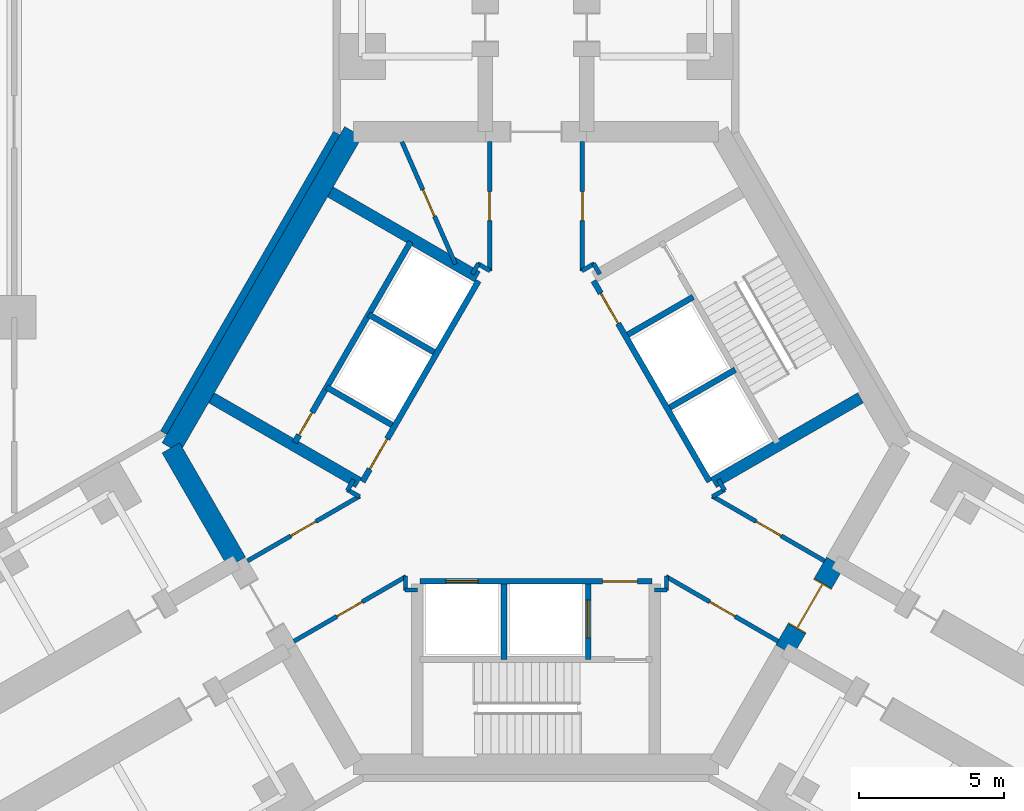
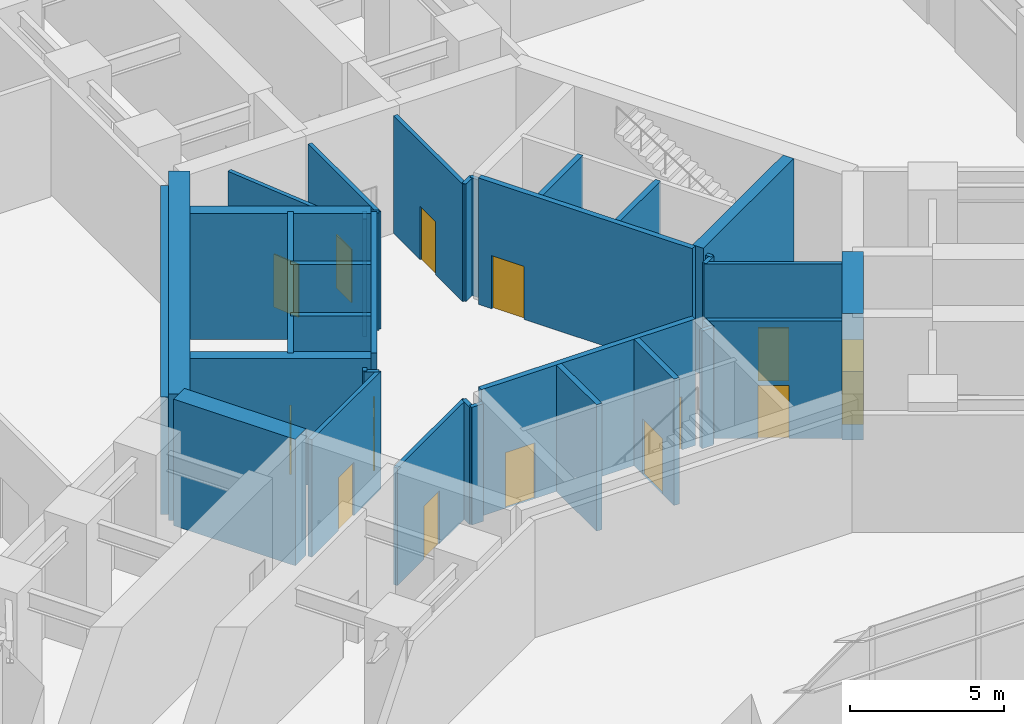
# One storey, part 25 of 32: 36 walls, 14 doors, 14 openings.
"""IFC4 building model written with IfcOpenShell, lengths in metres."""

from ifc_helpers import new_model, si_unit, direction, frame, frame_2d, origin, place, context, subcontext, project, spatial, rectangle, extrude, material, layer, layer_set, type_object, element, fill, save


model = new_model("IFC4")

# Units and contexts
model_context = context("Model", 3, precision=1e-05, world=origin(), true_north=direction((0.0, 1.0)))
body_context = subcontext(model_context, "Body", "Model", "MODEL_VIEW")
ifc_project = project(units=[si_unit("LENGTHUNIT", "METRE"), si_unit("AREAUNIT", "SQUARE_METRE"), si_unit("VOLUMEUNIT", "CUBIC_METRE"), si_unit("PLANEANGLEUNIT", "RADIAN"), si_unit("MASSUNIT", "GRAM", prefix="KILO")], contexts=[model_context])

# Site, building, storey
site_placement = place(None, origin())
site = spatial("IfcSite", under=ifc_project, at=site_placement, CompositionType="ELEMENT")
building_placement = place(site_placement, origin())
building = spatial("IfcBuilding", under=site, at=building_placement, Name="Upepo Twin Towers", CompositionType="ELEMENT")
storey_placement = place(building_placement, frame((0.0, 0.0, 10.5)))
storey = spatial("IfcBuildingStorey", under=building, at=storey_placement, Name="L02", CompositionType="ELEMENT", Elevation=10.5)

# Walls
ifc_material_1 = material(Name="Concrete C60/75", Category="concrete")
ifc_layer_1 = layer(ifc_material_1, 0.699951171875)
ifc_layer_set_1 = layer_set([ifc_layer_1], Name="Concrete C60/75")
wall_type_1 = type_object("IfcWallType", Name="Core wall 700 RC", PredefinedType="SHEAR", material=ifc_layer_set_1)
wall_1_placement = place(storey_placement, frame((52.2021484375, -7.091552734375, 0.0), z_axis=(0.0, 0.0, 1.0), x_axis=(-0.500005998175, -0.866021940709, 0.0)))
element("IfcWall", 1, at=wall_1_placement, inside=storey, type_object=wall_type_1, Name="T2 core wall 060", PredefinedType="SHEAR", context=body_context, shape_type="SweptSolid", body=[
    extrude(rectangle(XDim=12.595947265625, YDim=0.699951171875, at=frame_2d((6.2978515625, 0.0))), origin(), (0.0, 0.0, 1.0), 5.0),
])
wall_2_placement = place(storey_placement, frame((45.904052734375, -18.0, 0.0), z_axis=(0.0, 0.0, 1.0), x_axis=(0.500024481964, -0.866011268655, 0.0)))
element("IfcWall", 2, at=wall_2_placement, inside=storey, type_object=wall_type_1, Name="T2 core wall 120 R", PredefinedType="SHEAR", context=body_context, shape_type="SweptSolid", body=[
    extrude(rectangle(XDim=4.548095703125, YDim=0.699951171875, at=frame_2d((2.27392578125, 0.0))), origin(), (0.0, 0.0, 1.0), 5.0),
])

# Wall, opening, door
wall_3_placement = place(storey_placement, frame((67.07177734375, -24.9697265625, 0.0), z_axis=(0.0, 0.0, 1.0), x_axis=(0.500010275428, 0.866019471182, 0.0)))
wall_3 = element("IfcWall", 3, at=wall_3_placement, inside=storey, type_object=wall_type_1, Name="T2 core wall 240", PredefinedType="SHEAR", context=body_context, shape_type="SweptSolid", body=[
    extrude(rectangle(XDim=3.5, YDim=0.699951171875, at=frame_2d((1.75, 0.0))), origin(), (0.0, 0.0, 1.0), 5.0),
])
opening_1_placement = place(wall_3_placement, frame((0.85009765625, 0.0, 0.0)))
opening_1 = element("IfcOpeningElement", 4, at=opening_1_placement, cuts=wall_3, Name="Opening D2", PredefinedType="OPENING", context=body_context, shape_type="SweptSolid", body=[
    extrude(rectangle(XDim=1.800048828125, YDim=2.10009765625, at=frame_2d((0.89990234375, 1.050048828125))), frame((0.0, 0.35986328125, 0.0), z_axis=(0.0, -1.0, 0.0), x_axis=(1.0, 0.0, 0.0)), (0.0, 0.0, 1.0), 0.719970703125),
])
ifc_material_2 = material(Name="Timber doorset", Category="wood")
door_type_1 = type_object("IfcDoorType", Name="Corridor double door 1800 FD60", OperationType="DOUBLE_DOOR_DOUBLE_SWING", PredefinedType="DOOR", material=ifc_material_2)
door_1_placement = place(opening_1_placement, origin())
door_1 = element("IfcDoor", 5, at=door_1_placement, inside=storey, type_object=door_type_1, Name="T2 L02 wing C corridor door", OperationType="DOUBLE_DOOR_DOUBLE_SWING", OverallHeight=2.10009765625, OverallWidth=1.800048828125, PredefinedType="DOOR", context=body_context, shape_type="SweptSolid", body=[
    extrude(rectangle(XDim=1.720048828125, YDim=2.06009765625, at=frame_2d((0.89990234375, 1.030029296875))), frame((0.0, 0.02490234375, 0.0), z_axis=(0.0, -1.0, 0.0), x_axis=(1.0, 0.0, 0.0)), (0.0, 0.0, 1.0), 0.050048828125),
    extrude(rectangle(XDim=0.04, YDim=2.10009765625, at=frame_2d((0.02001953125, 1.050048828125))), frame((0.0, 0.349609375, 0.0), z_axis=(0.0, -1.0, 0.0), x_axis=(1.0, 0.0, 0.0)), (0.0, 0.0, 1.0), 0.699462890625),
    extrude(rectangle(XDim=0.04, YDim=2.10009765625, at=frame_2d((1.780029296875, 1.050048828125))), frame((0.0, 0.349609375, 0.0), z_axis=(0.0, -1.0, 0.0), x_axis=(1.0, 0.0, 0.0)), (0.0, 0.0, 1.0), 0.699462890625),
    extrude(rectangle(XDim=1.720048828125, YDim=0.04, at=frame_2d((0.89990234375, 2.080078125))), frame((0.0, 0.349609375, 0.0), z_axis=(0.0, -1.0, 0.0), x_axis=(1.0, 0.0, 0.0)), (0.0, 0.0, 1.0), 0.699462890625),
])
fill(opening_1, door_1)

ifc_material_3 = material(Name="Concrete C40/50", Category="concrete")
ifc_layer_2 = layer(ifc_material_3, 0.199951171875)
ifc_layer_set_2 = layer_set([ifc_layer_2], Name="Concrete C40/50")
wall_type_2 = type_object("IfcWallType", Name="Shaft wall 200 RC", PredefinedType="SHEAR", material=ifc_layer_set_2)
wall_4_placement = place(storey_placement, frame((56.516357421875, -12.23583984375, 0.0), z_axis=(0.0, 0.0, 1.0), x_axis=(-0.49999894854, -0.866026010844, 0.0)))
wall_4 = element("IfcWall", 6, at=wall_4_placement, inside=storey, type_object=wall_type_2, Name="T2 core W60 front wall", PredefinedType="SHEAR", context=body_context, shape_type="SweptSolid", body=[
    extrude(rectangle(XDim=8.0, YDim=0.199951171875, at=frame_2d((4.0, 0.0))), origin(), (0.0, 0.0, 1.0), 5.0),
])
opening_2_placement = place(wall_4_placement, frame((6.300048828125, 0.0, 0.0)))
opening_2 = element("IfcOpeningElement", 7, at=opening_2_placement, cuts=wall_4, Name="Opening D4", PredefinedType="OPENING", context=body_context, shape_type="SweptSolid", body=[
    extrude(rectangle(XDim=1.199951171875, YDim=2.10009765625, at=frame_2d((0.60009765625, 1.050048828125))), frame((0.0, 0.10986328125, 0.0), z_axis=(0.0, -1.0, 0.0), x_axis=(1.0, 0.0, 0.0)), (0.0, 0.0, 1.0), 0.219970703125),
])
ifc_material_4 = material(Name="Timber doorset", Category="wood")
door_type_2 = type_object("IfcDoorType", Name="Lobby door 1200 FD60", OperationType="SINGLE_SWING_LEFT", PredefinedType="DOOR", material=ifc_material_4)
door_2_placement = place(opening_2_placement, origin())
door_2 = element("IfcDoor", 8, at=door_2_placement, inside=storey, type_object=door_type_2, Name="T2 L02 W60 lobby door", OperationType="SINGLE_SWING_RIGHT", OverallHeight=2.10009765625, OverallWidth=1.199951171875, PredefinedType="DOOR", context=body_context, shape_type="SweptSolid", body=[
    extrude(rectangle(XDim=1.199951171875, YDim=2.10009765625, at=frame_2d((0.60009765625, 1.050048828125))), frame((0.0, 0.02490234375, 0.0), z_axis=(0.0, -1.0, 0.0), x_axis=(1.0, 0.0, 0.0)), (0.0, 0.0, 1.0), 0.050048828125),
])
fill(opening_2, door_2)

# Walls
for number, where, z_axis, x_axis, name in (
    (9, (54.979736328125, -14.697265625, 0.0), (0.0, 0.0, 1.0), (-0.866062058628, 0.499936506574, 0.0), "T2 core W60 shaft divider"),
    (10, (53.52978515625, -17.208740234375, 0.0), (0.0, 0.0, 1.0), (-0.866062058628, 0.499936506574, 0.0), "T2 core W60 lobby wall"),
):
    element("IfcWall", number, at=place(storey_placement, frame(where, z_axis=z_axis, x_axis=x_axis)), inside=storey, type_object=wall_type_2, Name=name, PredefinedType="SHEAR", context=body_context, shape_type="SweptSolid", body=[
        extrude(rectangle(XDim=2.599853515625, YDim=0.199951171875, at=frame_2d((1.2998046875, 0.0))), origin(), (0.0, 0.0, 1.0), 5.0),
    ])

# Wall, opening, door
wall_5_placement = place(storey_placement, frame((54.177978515625, -10.885986328125, 0.0), z_axis=(0.0, 0.0, 1.0), x_axis=(-0.49999894854, -0.866026010844, 0.0)))
wall_5 = element("IfcWall", 11, at=wall_5_placement, inside=storey, type_object=wall_type_2, Name="T2 core W60 stair wall", PredefinedType="SHEAR", context=body_context, shape_type="SweptSolid", body=[
    extrude(rectangle(XDim=8.0, YDim=0.199951171875, at=frame_2d((4.0, 0.0))), origin(), (0.0, 0.0, 1.0), 5.0),
])
opening_3_placement = place(wall_5_placement, frame((6.800048828125, 0.0, 0.0)))
opening_3 = element("IfcOpeningElement", 12, at=opening_3_placement, cuts=wall_5, Name="Opening D9", PredefinedType="OPENING", context=body_context, shape_type="SweptSolid", body=[
    extrude(rectangle(XDim=0.89990234375, YDim=2.10009765625, at=frame_2d((0.449951171875, 1.050048828125))), frame((0.0, 0.10986328125, 0.0), z_axis=(0.0, -1.0, 0.0), x_axis=(1.0, 0.0, 0.0)), (0.0, 0.0, 1.0), 0.219970703125),
])
ifc_material_5 = material(Name="Timber doorset", Category="wood")
door_type_3 = type_object("IfcDoorType", Name="Riser door 900 FD60", OperationType="SINGLE_SWING_LEFT", PredefinedType="DOOR", material=ifc_material_5)
door_3_placement = place(opening_3_placement, origin())
door_3 = element("IfcDoor", 13, at=door_3_placement, inside=storey, type_object=door_type_3, Name="T2 L02 riser door", OperationType="SINGLE_SWING_RIGHT", OverallHeight=2.10009765625, OverallWidth=0.89990234375, PredefinedType="DOOR", context=body_context, shape_type="SweptSolid", body=[
    extrude(rectangle(XDim=0.89990234375, YDim=2.10009765625, at=frame_2d((0.449951171875, 1.050048828125))), frame((0.0, 0.02490234375, 0.0), z_axis=(0.0, -1.0, 0.0), x_axis=(1.0, 0.0, 0.0)), (0.0, 0.0, 1.0), 0.050048828125),
])
fill(opening_3, door_3)

# Wall, openings, doors
wall_6_placement = place(storey_placement, frame((54.5, -22.60009765625, 0.0), z_axis=(0.0, 0.0, 1.0), x_axis=(1.0, 0.0, 0.0)))
wall_6 = element("IfcWall", 14, at=wall_6_placement, inside=storey, type_object=wall_type_2, Name="T2 core W180 front wall", PredefinedType="SHEAR", context=body_context, shape_type="SweptSolid", body=[
    extrude(rectangle(XDim=8.0, YDim=0.199951171875, at=frame_2d((4.0, 0.0))), origin(), (0.0, 0.0, 1.0), 5.0),
])
opening_4_placement = place(wall_6_placement, frame((6.300048828125, 0.0, 0.0)))
opening_4 = element("IfcOpeningElement", 15, at=opening_4_placement, cuts=wall_6, Name="Opening D4", PredefinedType="OPENING", context=body_context, shape_type="SweptSolid", body=[
    extrude(rectangle(XDim=1.199951171875, YDim=2.10009765625, at=frame_2d((0.60009765625, 1.050048828125))), frame((0.0, 0.10986328125, 0.0), z_axis=(0.0, -1.0, 0.0), x_axis=(1.0, 0.0, 0.0)), (0.0, 0.0, 1.0), 0.219970703125),
])
opening_5_placement = place(wall_6_placement, frame((0.89990234375, 0.0, 0.0)))
opening_5 = element("IfcOpeningElement", 16, at=opening_5_placement, cuts=wall_6, Name="Opening LD1", PredefinedType="OPENING", context=body_context, shape_type="SweptSolid", body=[
    extrude(rectangle(XDim=1.10009765625, YDim=2.199951171875, at=frame_2d((0.550048828125, 1.10009765625))), frame((0.0, 0.10986328125, 0.0), z_axis=(0.0, -1.0, 0.0), x_axis=(1.0, 0.0, 0.0)), (0.0, 0.0, 1.0), 0.219970703125),
])
ifc_material_6 = material(Name="Steel doorset", Category="steel")
door_type_4 = type_object("IfcDoorType", Name="Lift landing door 1100", OperationType="DOUBLE_DOOR_SLIDING", PredefinedType="DOOR", material=ifc_material_6)
door_4_placement = place(opening_5_placement, origin())
door_4 = element("IfcDoor", 17, at=door_4_placement, inside=storey, type_object=door_type_4, Name="T2 L02 lift SV1 landing door", OperationType="DOUBLE_DOOR_SLIDING", OverallHeight=2.199951171875, OverallWidth=1.10009765625, PredefinedType="DOOR", context=body_context, shape_type="SweptSolid", body=[
    extrude(rectangle(XDim=1.10009765625, YDim=2.199951171875, at=frame_2d((0.550048828125, 1.10009765625))), frame((0.0, 0.02490234375, 0.0), z_axis=(0.0, -1.0, 0.0), x_axis=(1.0, 0.0, 0.0)), (0.0, 0.0, 1.0), 0.050048828125),
])
fill(opening_5, door_4)
door_5_placement = place(opening_4_placement, origin())
door_5 = element("IfcDoor", 18, at=door_5_placement, inside=storey, type_object=door_type_2, Name="T2 L02 W180 lobby door", OperationType="SINGLE_SWING_RIGHT", OverallHeight=2.10009765625, OverallWidth=1.199951171875, PredefinedType="DOOR", context=body_context, shape_type="SweptSolid", body=[
    extrude(rectangle(XDim=1.199951171875, YDim=2.10009765625, at=frame_2d((0.60009765625, 1.050048828125))), frame((0.0, 0.02490234375, 0.0), z_axis=(0.0, -1.0, 0.0), x_axis=(1.0, 0.0, 0.0)), (0.0, 0.0, 1.0), 0.050048828125),
])
fill(opening_4, door_5)

# Wall
wall_7_placement = place(storey_placement, frame((57.39990234375, -22.699951171875, 0.0), z_axis=(0.0, 0.0, 1.0), x_axis=(0.0, -1.0, 0.0)))
element("IfcWall", 19, at=wall_7_placement, inside=storey, type_object=wall_type_2, Name="T2 core W180 shaft divider", PredefinedType="SHEAR", context=body_context, shape_type="SweptSolid", body=[
    extrude(rectangle(XDim=2.60009765625, YDim=0.199951171875, at=frame_2d((1.300048828125, 0.0))), origin(), (0.0, 0.0, 1.0), 5.0),
])

# Wall, opening, door
wall_8_placement = place(storey_placement, frame((60.300048828125, -22.699951171875, 0.0), z_axis=(0.0, 0.0, 1.0), x_axis=(0.0, -1.0, 0.0)))
wall_8 = element("IfcWall", 20, at=wall_8_placement, inside=storey, type_object=wall_type_2, Name="T2 core W180 lobby wall", PredefinedType="SHEAR", context=body_context, shape_type="SweptSolid", body=[
    extrude(rectangle(XDim=2.60009765625, YDim=0.199951171875, at=frame_2d((1.300048828125, 0.0))), origin(), (0.0, 0.0, 1.0), 5.0),
])
opening_6_placement = place(wall_8_placement, frame((0.550048828125, 0.0, 0.0)))
opening_6 = element("IfcOpeningElement", 21, at=opening_6_placement, cuts=wall_8, Name="Opening LD2", PredefinedType="OPENING", context=body_context, shape_type="SweptSolid", body=[
    extrude(rectangle(XDim=1.300048828125, YDim=2.199951171875, at=frame_2d((0.64990234375, 1.10009765625))), frame((0.0, 0.10986328125, 0.0), z_axis=(0.0, -1.0, 0.0), x_axis=(1.0, 0.0, 0.0)), (0.0, 0.0, 1.0), 0.219970703125),
])
ifc_material_7 = material(Name="Steel doorset", Category="steel")
door_type_5 = type_object("IfcDoorType", Name="Firefighting lift landing door 1300", OperationType="DOUBLE_DOOR_SLIDING", PredefinedType="DOOR", material=ifc_material_7)
door_6_placement = place(opening_6_placement, origin())
door_6 = element("IfcDoor", 22, at=door_6_placement, inside=storey, type_object=door_type_5, Name="T2 L02 firefighting lift landing door", OperationType="DOUBLE_DOOR_SLIDING", OverallHeight=2.199951171875, OverallWidth=1.300048828125, PredefinedType="DOOR", context=body_context, shape_type="SweptSolid", body=[
    extrude(rectangle(XDim=1.300048828125, YDim=2.199951171875, at=frame_2d((0.64990234375, 1.10009765625))), frame((0.0, 0.02490234375, 0.0), z_axis=(0.0, -1.0, 0.0), x_axis=(1.0, 0.0, 0.0)), (0.0, 0.0, 1.0), 0.050048828125),
])
fill(opening_6, door_6)

wall_9_placement = place(storey_placement, frame((64.483642578125, -19.1640625, 0.0), z_axis=(0.0, 0.0, 1.0), x_axis=(-0.49999894854, 0.866026010844, 0.0)))
wall_9 = element("IfcWall", 23, at=wall_9_placement, inside=storey, type_object=wall_type_2, Name="T2 core W300 front wall", PredefinedType="SHEAR", context=body_context, shape_type="SweptSolid", body=[
    extrude(rectangle(XDim=8.0, YDim=0.199951171875, at=frame_2d((4.0, 0.0))), origin(), (0.0, 0.0, 1.0), 5.0),
])
opening_7_placement = place(wall_9_placement, frame((6.300048828125, 0.0, 0.0)))
opening_7 = element("IfcOpeningElement", 24, at=opening_7_placement, cuts=wall_9, Name="Opening D4", PredefinedType="OPENING", context=body_context, shape_type="SweptSolid", body=[
    extrude(rectangle(XDim=1.199951171875, YDim=2.10009765625, at=frame_2d((0.60009765625, 1.050048828125))), frame((0.0, 0.10986328125, 0.0), z_axis=(0.0, -1.0, 0.0), x_axis=(1.0, 0.0, 0.0)), (0.0, 0.0, 1.0), 0.219970703125),
])
door_7_placement = place(opening_7_placement, origin())
door_7 = element("IfcDoor", 25, at=door_7_placement, inside=storey, type_object=door_type_2, Name="T2 L02 W300 lobby door", OperationType="SINGLE_SWING_RIGHT", OverallHeight=2.10009765625, OverallWidth=1.199951171875, PredefinedType="DOOR", context=body_context, shape_type="SweptSolid", body=[
    extrude(rectangle(XDim=1.199951171875, YDim=2.10009765625, at=frame_2d((0.60009765625, 1.050048828125))), frame((0.0, 0.02490234375, 0.0), z_axis=(0.0, -1.0, 0.0), x_axis=(1.0, 0.0, 0.0)), (0.0, 0.0, 1.0), 0.050048828125),
])
fill(opening_7, door_7)

# Walls
wall_10_placement = place(storey_placement, frame((63.120361328125, -16.6025390625, 0.0), z_axis=(0.0, 0.0, 1.0), x_axis=(0.866062058628, 0.499936506574, 0.0)))
element("IfcWall", 26, at=wall_10_placement, inside=storey, type_object=wall_type_2, Name="T2 core W300 shaft divider", PredefinedType="SHEAR", context=body_context, shape_type="SweptSolid", body=[
    extrude(rectangle(XDim=2.599853515625, YDim=0.199951171875, at=frame_2d((1.2998046875, 0.0))), origin(), (0.0, 0.0, 1.0), 5.0),
])
wall_11_placement = place(storey_placement, frame((61.67041015625, -14.091064453125, 0.0), z_axis=(0.0, 0.0, 1.0), x_axis=(0.86603858612, 0.49997716683, 0.0)))
element("IfcWall", 27, at=wall_11_placement, inside=storey, type_object=wall_type_2, Name="T2 core W300 lobby wall", PredefinedType="SHEAR", context=body_context, shape_type="SweptSolid", body=[
    extrude(rectangle(XDim=2.599609375, YDim=0.199951171875, at=frame_2d((1.2998046875, 0.0))), origin(), (0.0, 0.0, 1.0), 5.0),
])
ifc_material_8 = material(Name="Concrete C40/50", Category="concrete")
ifc_layer_3 = layer(ifc_material_8, 0.39990234375)
ifc_layer_set_3 = layer_set([ifc_layer_3], Name="Concrete C40/50")
wall_type_3 = type_object("IfcWallType", Name="Shaft wall 400 RC", PredefinedType="SHEAR", material=ifc_layer_set_3)
for number, where, z_axis, x_axis, name in (
    (28, (52.379638671875, -19.20068359375, 0.0), (0.0, 0.0, 1.0), (-0.866023886965, 0.500002627198, 0.0), "T2 core W60 side wall N"),
    (29, (56.479736328125, -12.099365234375, 0.0), (0.0, 0.0, 1.0), (-0.866023886965, 0.500002627198, 0.0), "T2 core W60 side wall S"),
    (30, (64.620361328125, -19.20068359375, 0.0), (0.0, 0.0, 1.0), (0.866023886965, 0.500002627198, 0.0), "T2 core W300 side wall S"),
):
    element("IfcWall", number, at=place(storey_placement, frame(where, z_axis=z_axis, x_axis=x_axis)), inside=storey, type_object=wall_type_3, Name=name, PredefinedType="SHEAR", context=body_context, shape_type="SweptSolid", body=[
        extrude(rectangle(XDim=5.8583984375, YDim=0.39990234375, at=frame_2d((2.92919921875, 0.0))), origin(), (0.0, 0.0, 1.0), 5.0),
    ])
ifc_material_9 = material(Name="Gypsum board on steel studs", Category="steel")
ifc_layer_4 = layer(ifc_material_9, 0.14990234375)
ifc_layer_set_4 = layer_set([ifc_layer_4], Name="Teaching partition 150 acoustic")
wall_type_4 = type_object("IfcWallType", Name="Teaching partition 150 acoustic", PredefinedType="PARTITIONING", material=ifc_layer_set_4)
wall_12_placement = place(storey_placement, frame((54.0, -22.919921875, 0.0), z_axis=(0.0, 0.0, 1.0), x_axis=(0.0, 1.0, 0.0)))
element("IfcWall", 31, at=wall_12_placement, inside=storey, type_object=wall_type_4, Name="T2 core room partition 1", PredefinedType="PARTITIONING", context=body_context, shape_type="SweptSolid", body=[
    extrude(rectangle(XDim=0.494384765625, YDim=0.14990234375, at=frame_2d((0.2470703125, 0.0))), origin(), (0.0, 0.0, 1.0), 4.64990234375),
])

# Wall, opening, door
wall_13_placement = place(storey_placement, frame((54.017333984375, -22.435546875, 0.0), z_axis=(0.0, 0.0, 1.0), x_axis=(-0.866015446554, -0.500017246033, 0.0)))
wall_13 = element("IfcWall", 32, at=wall_13_placement, inside=storey, type_object=wall_type_4, Name="T2 core room partition 2", PredefinedType="PARTITIONING", context=body_context, shape_type="SweptSolid", body=[
    extrude(rectangle(XDim=4.468505859375, YDim=0.14990234375, at=frame_2d((2.234375, 0.0))), origin(), (0.0, 0.0, 1.0), 4.64990234375),
])
opening_8_placement = place(wall_13_placement, frame((1.744384765625, 0.0, 0.0)))
opening_8 = element("IfcOpeningElement", 33, at=opening_8_placement, cuts=wall_13, Name="Opening D1", PredefinedType="OPENING", context=body_context, shape_type="SweptSolid", body=[
    extrude(rectangle(XDim=1.0, YDim=2.10009765625, at=frame_2d((0.5, 1.050048828125))), frame((0.0, 0.0849609375, 0.0), z_axis=(0.0, -1.0, 0.0), x_axis=(1.0, 0.0, 0.0)), (0.0, 0.0, 1.0), 0.169921875),
])
ifc_material_10 = material(Name="Timber doorset", Category="wood")
door_type_6 = type_object("IfcDoorType", Name="Room door 1000 FD30", OperationType="SINGLE_SWING_LEFT", PredefinedType="DOOR", material=ifc_material_10)
door_8_placement = place(opening_8_placement, origin())
door_8 = element("IfcDoor", 34, at=door_8_placement, inside=storey, type_object=door_type_6, Name="T2 L02 core room door K2", OperationType="SINGLE_SWING_RIGHT", OverallHeight=2.10009765625, OverallWidth=1.0, PredefinedType="DOOR", context=body_context, shape_type="SweptSolid", body=[
    extrude(rectangle(XDim=1.0, YDim=2.10009765625, at=frame_2d((0.5, 1.050048828125))), frame((0.0, 0.02490234375, 0.0), z_axis=(0.0, -1.0, 0.0), x_axis=(1.0, 0.0, 0.0)), (0.0, 0.0, 1.0), 0.050048828125),
])
fill(opening_8, door_8)

wall_14_placement = place(storey_placement, frame((48.547607421875, -21.8984375, 0.0), z_axis=(0.0, 0.0, 1.0), x_axis=(0.866025445582, 0.499999927604, 0.0)))
wall_14 = element("IfcWall", 35, at=wall_14_placement, inside=storey, type_object=wall_type_4, Name="T2 core room partition 3", PredefinedType="PARTITIONING", context=body_context, shape_type="SweptSolid", body=[
    extrude(rectangle(XDim=4.46826171875, YDim=0.14990234375, at=frame_2d((2.234130859375, 0.0))), origin(), (0.0, 0.0, 1.0), 4.64990234375),
])
opening_9_placement = place(wall_14_placement, frame((1.72412109375, 0.0, 0.0)))
opening_9 = element("IfcOpeningElement", 36, at=opening_9_placement, cuts=wall_14, Name="Opening D1", PredefinedType="OPENING", context=body_context, shape_type="SweptSolid", body=[
    extrude(rectangle(XDim=1.0, YDim=2.10009765625, at=frame_2d((0.5, 1.050048828125))), frame((0.0, 0.0849609375, 0.0), z_axis=(0.0, -1.0, 0.0), x_axis=(1.0, 0.0, 0.0)), (0.0, 0.0, 1.0), 0.169921875),
])
door_9_placement = place(opening_9_placement, origin())
door_9 = element("IfcDoor", 37, at=door_9_placement, inside=storey, type_object=door_type_6, Name="T2 L02 core room door K1", OperationType="SINGLE_SWING_LEFT", OverallHeight=2.10009765625, OverallWidth=1.0, PredefinedType="DOOR", context=body_context, shape_type="SweptSolid", body=[
    extrude(rectangle(XDim=1.0, YDim=2.10009765625, at=frame_2d((0.5, 1.050048828125))), frame((0.0, 0.02490234375, 0.0), z_axis=(0.0, -1.0, 0.0), x_axis=(1.0, 0.0, 0.0)), (0.0, 0.0, 1.0), 0.050048828125),
])
fill(opening_9, door_9)

# Walls
wall_15_placement = place(storey_placement, frame((52.417236328125, -19.684326171875, 0.0), z_axis=(0.0, 0.0, 1.0), x_axis=(-0.865831790172, 0.50033519877, 0.0)))
element("IfcWall", 38, at=wall_15_placement, inside=storey, type_object=wall_type_4, Name="T2 core room partition 4", PredefinedType="PARTITIONING", context=body_context, shape_type="SweptSolid", body=[
    extrude(rectangle(XDim=0.494384765625, YDim=0.14990234375, at=frame_2d((0.2470703125, 0.0))), origin(), (0.0, 0.0, 1.0), 4.64990234375),
])
for number, where, z_axis, x_axis, name in (
    (39, (51.99658203125, -19.46435546875, 0.0), (0.0, 0.0, 1.0), (0.499804398801, 0.866138304741, 0.0), "T2 core room partition 5"),
    (40, (56.301513671875, -12.0078125, 0.0), (0.0, 0.0, 1.0), (0.500230298122, 0.865892400268, 0.0), "T2 core room partition 6"),
):
    element("IfcWall", number, at=place(storey_placement, frame(where, z_axis=z_axis, x_axis=x_axis)), inside=storey, type_object=wall_type_4, Name=name, PredefinedType="PARTITIONING", context=body_context, shape_type="SweptSolid", body=[
        extrude(rectangle(XDim=0.429931640625, YDim=0.14990234375, at=frame_2d((0.21484375, 0.0))), origin(), (0.0, 0.0, 1.0), 4.64990234375),
    ])
wall_16_placement = place(storey_placement, frame((56.4892578125, -11.642822265625, 0.0), z_axis=(0.0, 0.0, 1.0), x_axis=(0.865831790172, -0.50033519877, 0.0)))
element("IfcWall", 41, at=wall_16_placement, inside=storey, type_object=wall_type_4, Name="T2 core room partition 7", PredefinedType="PARTITIONING", context=body_context, shape_type="SweptSolid", body=[
    extrude(rectangle(XDim=0.494384765625, YDim=0.14990234375, at=frame_2d((0.2470703125, 0.0))), origin(), (0.0, 0.0, 1.0), 4.64990234375),
])

# Wall, opening, door
wall_17_placement = place(storey_placement, frame((56.89990234375, -11.900146484375, 0.0), z_axis=(0.0, 0.0, 1.0), x_axis=(0.0, 1.0, 0.0)))
wall_17 = element("IfcWall", 42, at=wall_17_placement, inside=storey, type_object=wall_type_4, Name="T2 core room partition 8", PredefinedType="PARTITIONING", context=body_context, shape_type="SweptSolid", body=[
    extrude(rectangle(XDim=4.468505859375, YDim=0.14990234375, at=frame_2d((2.234375, 0.0))), origin(), (0.0, 0.0, 1.0), 4.64990234375),
])
opening_10_placement = place(wall_17_placement, frame((1.744384765625, 0.0, 0.0)))
opening_10 = element("IfcOpeningElement", 43, at=opening_10_placement, cuts=wall_17, Name="Opening D1", PredefinedType="OPENING", context=body_context, shape_type="SweptSolid", body=[
    extrude(rectangle(XDim=1.0, YDim=2.10009765625, at=frame_2d((0.5, 1.050048828125))), frame((0.0, 0.0849609375, 0.0), z_axis=(0.0, -1.0, 0.0), x_axis=(1.0, 0.0, 0.0)), (0.0, 0.0, 1.0), 0.169921875),
])
door_10_placement = place(opening_10_placement, origin())
door_10 = element("IfcDoor", 44, at=door_10_placement, inside=storey, type_object=door_type_6, Name="T2 L02 core room door K7", OperationType="SINGLE_SWING_RIGHT", OverallHeight=2.10009765625, OverallWidth=1.0, PredefinedType="DOOR", context=body_context, shape_type="SweptSolid", body=[
    extrude(rectangle(XDim=1.0, YDim=2.10009765625, at=frame_2d((0.5, 1.050048828125))), frame((0.0, 0.02490234375, 0.0), z_axis=(0.0, -1.0, 0.0), x_axis=(1.0, 0.0, 0.0)), (0.0, 0.0, 1.0), 0.050048828125),
])
fill(opening_10, door_10)

wall_18_placement = place(storey_placement, frame((60.10009765625, -7.431640625, 0.0), z_axis=(0.0, 0.0, 1.0), x_axis=(0.0, -1.0, 0.0)))
wall_18 = element("IfcWall", 45, at=wall_18_placement, inside=storey, type_object=wall_type_4, Name="T2 core room partition 9", PredefinedType="PARTITIONING", context=body_context, shape_type="SweptSolid", body=[
    extrude(rectangle(XDim=4.468505859375, YDim=0.14990234375, at=frame_2d((2.234375, 0.0))), origin(), (0.0, 0.0, 1.0), 4.64990234375),
])
opening_11_placement = place(wall_18_placement, frame((1.72412109375, 0.0, 0.0)))
opening_11 = element("IfcOpeningElement", 46, at=opening_11_placement, cuts=wall_18, Name="Opening D1", PredefinedType="OPENING", context=body_context, shape_type="SweptSolid", body=[
    extrude(rectangle(XDim=1.0, YDim=2.10009765625, at=frame_2d((0.5, 1.050048828125))), frame((0.0, 0.0849609375, 0.0), z_axis=(0.0, -1.0, 0.0), x_axis=(1.0, 0.0, 0.0)), (0.0, 0.0, 1.0), 0.169921875),
])
door_11_placement = place(opening_11_placement, origin())
door_11 = element("IfcDoor", 47, at=door_11_placement, inside=storey, type_object=door_type_6, Name="T2 L02 core room door K5", OperationType="SINGLE_SWING_LEFT", OverallHeight=2.10009765625, OverallWidth=1.0, PredefinedType="DOOR", context=body_context, shape_type="SweptSolid", body=[
    extrude(rectangle(XDim=1.0, YDim=2.10009765625, at=frame_2d((0.5, 1.050048828125))), frame((0.0, 0.02490234375, 0.0), z_axis=(0.0, -1.0, 0.0), x_axis=(1.0, 0.0, 0.0)), (0.0, 0.0, 1.0), 0.050048828125),
])
fill(opening_11, door_11)

# Walls
wall_19_placement = place(storey_placement, frame((60.082763671875, -11.89013671875, 0.0), z_axis=(0.0, 0.0, 1.0), x_axis=(0.865831790172, 0.50033519877, 0.0)))
element("IfcWall", 48, at=wall_19_placement, inside=storey, type_object=wall_type_4, Name="T2 core room partition 10", PredefinedType="PARTITIONING", context=body_context, shape_type="SweptSolid", body=[
    extrude(rectangle(XDim=0.494384765625, YDim=0.14990234375, at=frame_2d((0.2470703125, 0.0))), origin(), (0.0, 0.0, 1.0), 4.64990234375),
])
for number, where, z_axis, x_axis, name in (
    (49, (60.4833984375, -11.635498046875, 0.0), (0.0, 0.0, 1.0), (0.500230298122, -0.865892400268, 0.0), "T2 core room partition 11"),
    (50, (64.78857421875, -19.092041015625, 0.0), (0.0, 0.0, 1.0), (0.499804398801, -0.866138304741, 0.0), "T2 core room partition 12"),
):
    element("IfcWall", number, at=place(storey_placement, frame(where, z_axis=z_axis, x_axis=x_axis)), inside=storey, type_object=wall_type_4, Name=name, PredefinedType="PARTITIONING", context=body_context, shape_type="SweptSolid", body=[
        extrude(rectangle(XDim=0.429931640625, YDim=0.14990234375, at=frame_2d((0.21484375, 0.0))), origin(), (0.0, 0.0, 1.0), 4.64990234375),
    ])
wall_20_placement = place(storey_placement, frame((65.0107421875, -19.43701171875, 0.0), z_axis=(0.0, 0.0, 1.0), x_axis=(-0.865831790172, -0.50033519877, 0.0)))
element("IfcWall", 51, at=wall_20_placement, inside=storey, type_object=wall_type_4, Name="T2 core room partition 13", PredefinedType="PARTITIONING", context=body_context, shape_type="SweptSolid", body=[
    extrude(rectangle(XDim=0.494384765625, YDim=0.14990234375, at=frame_2d((0.2470703125, 0.0))), origin(), (0.0, 0.0, 1.0), 4.64990234375),
])

# Wall, opening, door
wall_21_placement = place(storey_placement, frame((64.582763671875, -19.664306640625, 0.0), z_axis=(0.0, 0.0, 1.0), x_axis=(0.866025445582, -0.499999927604, 0.0)))
wall_21 = element("IfcWall", 52, at=wall_21_placement, inside=storey, type_object=wall_type_4, Name="T2 core room partition 14", PredefinedType="PARTITIONING", context=body_context, shape_type="SweptSolid", body=[
    extrude(rectangle(XDim=4.46826171875, YDim=0.14990234375, at=frame_2d((2.234130859375, 0.0))), origin(), (0.0, 0.0, 1.0), 4.64990234375),
])
opening_12_placement = place(wall_21_placement, frame((1.744384765625, 0.0, 0.0)))
opening_12 = element("IfcOpeningElement", 53, at=opening_12_placement, cuts=wall_21, Name="Opening D1", PredefinedType="OPENING", context=body_context, shape_type="SweptSolid", body=[
    extrude(rectangle(XDim=1.0, YDim=2.10009765625, at=frame_2d((0.5, 1.050048828125))), frame((0.0, 0.0849609375, 0.0), z_axis=(0.0, -1.0, 0.0), x_axis=(1.0, 0.0, 0.0)), (0.0, 0.0, 1.0), 0.169921875),
])
door_12_placement = place(opening_12_placement, origin())
door_12 = element("IfcDoor", 54, at=door_12_placement, inside=storey, type_object=door_type_6, Name="T2 L02 core room door K4", OperationType="SINGLE_SWING_RIGHT", OverallHeight=2.10009765625, OverallWidth=1.0, PredefinedType="DOOR", context=body_context, shape_type="SweptSolid", body=[
    extrude(rectangle(XDim=1.0, YDim=2.10009765625, at=frame_2d((0.5, 1.050048828125))), frame((0.0, 0.02490234375, 0.0), z_axis=(0.0, -1.0, 0.0), x_axis=(1.0, 0.0, 0.0)), (0.0, 0.0, 1.0), 0.050048828125),
])
fill(opening_12, door_12)

wall_22_placement = place(storey_placement, frame((66.8525390625, -24.669921875, 0.0), z_axis=(0.0, 0.0, 1.0), x_axis=(-0.866015446554, 0.500017246033, 0.0)))
wall_22 = element("IfcWall", 55, at=wall_22_placement, inside=storey, type_object=wall_type_4, Name="T2 core room partition 15", PredefinedType="PARTITIONING", context=body_context, shape_type="SweptSolid", body=[
    extrude(rectangle(XDim=4.468505859375, YDim=0.14990234375, at=frame_2d((2.234375, 0.0))), origin(), (0.0, 0.0, 1.0), 4.64990234375),
])
opening_13_placement = place(wall_22_placement, frame((1.72412109375, 0.0, 0.0)))
opening_13 = element("IfcOpeningElement", 56, at=opening_13_placement, cuts=wall_22, Name="Opening D1", PredefinedType="OPENING", context=body_context, shape_type="SweptSolid", body=[
    extrude(rectangle(XDim=1.0, YDim=2.10009765625, at=frame_2d((0.5, 1.050048828125))), frame((0.0, 0.0849609375, 0.0), z_axis=(0.0, -1.0, 0.0), x_axis=(1.0, 0.0, 0.0)), (0.0, 0.0, 1.0), 0.169921875),
])
door_13_placement = place(opening_13_placement, origin())
door_13 = element("IfcDoor", 57, at=door_13_placement, inside=storey, type_object=door_type_6, Name="T2 L02 core room door K3", OperationType="SINGLE_SWING_LEFT", OverallHeight=2.10009765625, OverallWidth=1.0, PredefinedType="DOOR", context=body_context, shape_type="SweptSolid", body=[
    extrude(rectangle(XDim=1.0, YDim=2.10009765625, at=frame_2d((0.5, 1.050048828125))), frame((0.0, 0.02490234375, 0.0), z_axis=(0.0, -1.0, 0.0), x_axis=(1.0, 0.0, 0.0)), (0.0, 0.0, 1.0), 0.050048828125),
])
fill(opening_13, door_13)

# Walls
wall_23_placement = place(storey_placement, frame((63.0, -22.425537109375, 0.0), z_axis=(0.0, 0.0, 1.0), x_axis=(0.0, -1.0, 0.0)))
element("IfcWall", 58, at=wall_23_placement, inside=storey, type_object=wall_type_4, Name="T2 core room partition 16", PredefinedType="PARTITIONING", context=body_context, shape_type="SweptSolid", body=[
    extrude(rectangle(XDim=0.494384765625, YDim=0.14990234375, at=frame_2d((0.2470703125, 0.0))), origin(), (0.0, 0.0, 1.0), 4.64990234375),
])
for number, where, z_axis, x_axis, name in (
    (59, (63.02001953125, -22.89990234375, 0.0), (0.0, 0.0, 1.0), (-1.0, 0.0, 0.0), "T2 core room partition 17"),
    (60, (54.409912109375, -22.89990234375, 0.0), (0.0, 0.0, 1.0), (-1.0, 0.0, 0.0), "T2 core room partition 18"),
):
    element("IfcWall", number, at=place(storey_placement, frame(where, z_axis=z_axis, x_axis=x_axis)), inside=storey, type_object=wall_type_4, Name=name, PredefinedType="PARTITIONING", context=body_context, shape_type="SweptSolid", body=[
        extrude(rectangle(XDim=0.429931640625, YDim=0.14990234375, at=frame_2d((0.21484375, 0.0))), origin(), (0.0, 0.0, 1.0), 4.64990234375),
    ])

# Wall, opening, door
wall_24_placement = place(storey_placement, frame((55.722900390625, -11.662353515625, 0.0), z_axis=(0.0, 0.0, 1.0), x_axis=(-0.40133016735, 0.915933456521, 0.0)))
wall_24 = element("IfcWall", 61, at=wall_24_placement, inside=storey, type_object=wall_type_4, Name="T2 core room partition 19", PredefinedType="PARTITIONING", context=body_context, shape_type="SweptSolid", body=[
    extrude(rectangle(XDim=4.608154296875, YDim=0.14990234375, at=frame_2d((2.30419921875, 0.0))), origin(), (0.0, 0.0, 1.0), 4.64990234375),
])
opening_14_placement = place(wall_24_placement, frame((1.803955078125, 0.0, 0.0)))
opening_14 = element("IfcOpeningElement", 62, at=opening_14_placement, cuts=wall_24, Name="Opening D1", PredefinedType="OPENING", context=body_context, shape_type="SweptSolid", body=[
    extrude(rectangle(XDim=1.0, YDim=2.10009765625, at=frame_2d((0.5, 1.050048828125))), frame((0.0, 0.0849609375, 0.0), z_axis=(0.0, -1.0, 0.0), x_axis=(1.0, 0.0, 0.0)), (0.0, 0.0, 1.0), 0.169921875),
])
door_14_placement = place(opening_14_placement, origin())
door_14 = element("IfcDoor", 63, at=door_14_placement, inside=storey, type_object=door_type_6, Name="T2 L02 core room door K6", OperationType="SINGLE_SWING_LEFT", OverallHeight=2.10009765625, OverallWidth=1.0, PredefinedType="DOOR", context=body_context, shape_type="SweptSolid", body=[
    extrude(rectangle(XDim=1.0, YDim=2.10009765625, at=frame_2d((0.5, 1.050048828125))), frame((0.0, 0.02490234375, 0.0), z_axis=(0.0, -1.0, 0.0), x_axis=(1.0, 0.0, 0.0)), (0.0, 0.0, 1.0), 0.050048828125),
])
fill(opening_14, door_14)

# Wall
ifc_material_11 = material(Name="Concrete blockwork", Category="masonry")
ifc_layer_5 = layer(ifc_material_11, 0.25)
ifc_layer_set_5 = layer_set([ifc_layer_5], Name="Tower enclosure wall 250 blockwork")
wall_type_5 = type_object("IfcWallType", Name="Tower enclosure wall 250 blockwork", PredefinedType="STANDARD", material=ifc_layer_set_5)
wall_25_placement = place(storey_placement, frame((45.658447265625, -17.4755859375, 0.0), z_axis=(0.0, 0.0, 1.0), x_axis=(0.499996365031, 0.866027502425, 0.0)))
element("IfcWall", 64, at=wall_25_placement, inside=storey, type_object=wall_type_5, Name="T2 L02 enclosure wall 14", PredefinedType="STANDARD", context=body_context, shape_type="SweptSolid", body=[
    extrude(rectangle(XDim=11.93310546875, YDim=0.25, at=frame_2d((5.966552734375, 0.0))), origin(), (0.0, 0.0, 1.0), 4.64990234375),
])

save(model, "model.ifc")
